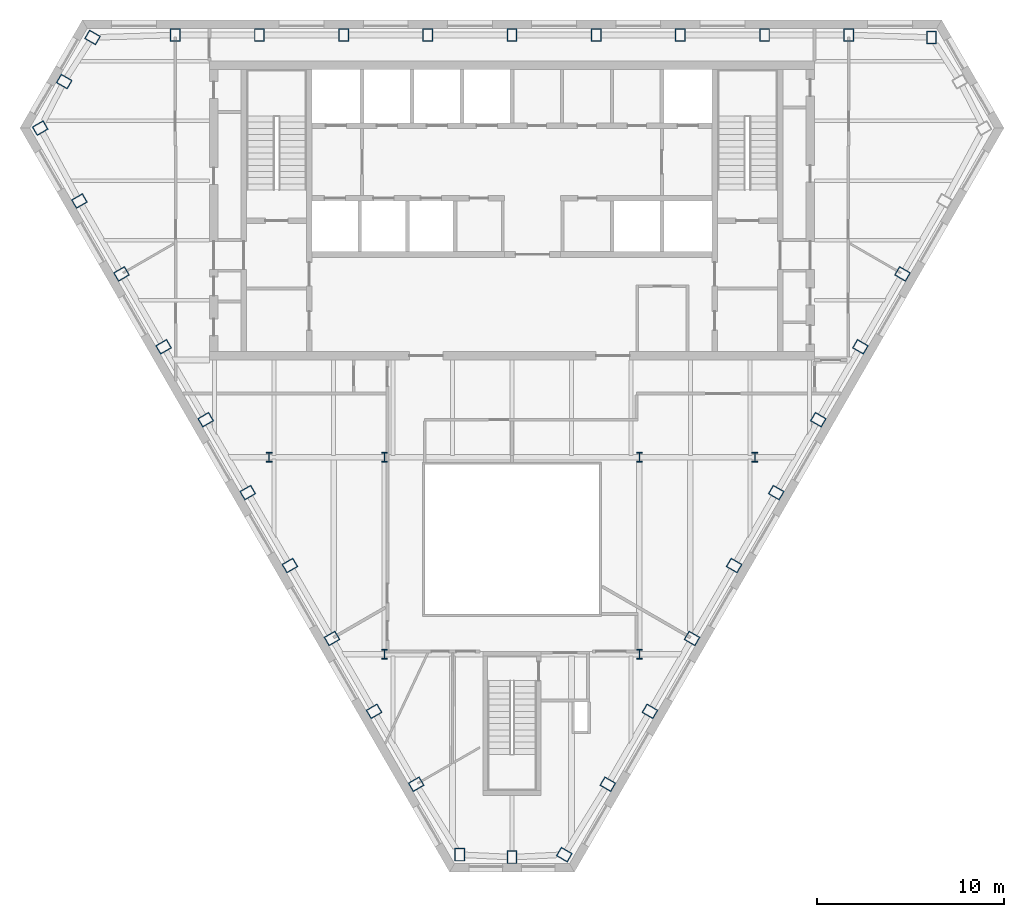
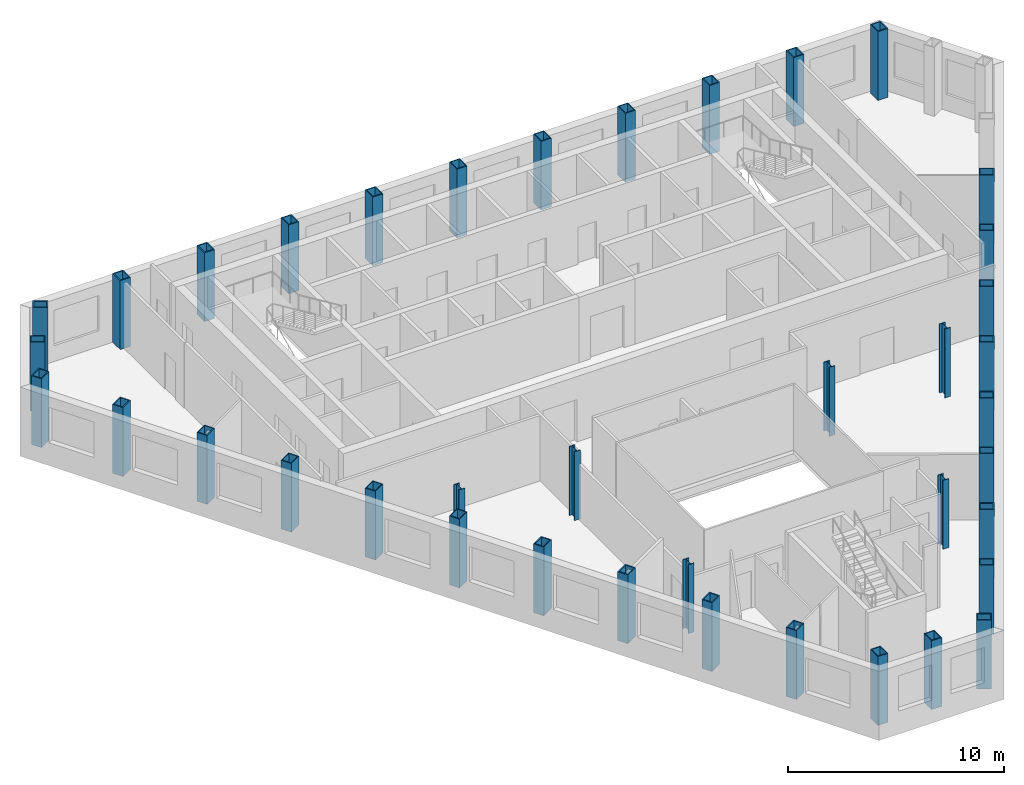
# One storey, part 1 of 10: 39 columns.
"""IFC4 building model written with IfcOpenShell, lengths in metres."""

from ifc_helpers import new_model, si_unit, direction, frame, origin, origin_2d, place, context, subcontext, project, spatial, hollow_rectangle, i_section, extrude, material, material_profile, profile_set, type_object, element, save


model = new_model("IFC4")

# Units and contexts
model_context = context("Model", 3, precision=1e-05, world=origin(), true_north=direction((0.0, 1.0)))
body_context = subcontext(model_context, "Body", "Model", "MODEL_VIEW")
ifc_project = project(units=[si_unit("LENGTHUNIT", "METRE"), si_unit("AREAUNIT", "SQUARE_METRE"), si_unit("VOLUMEUNIT", "CUBIC_METRE"), si_unit("PLANEANGLEUNIT", "RADIAN"), si_unit("MASSUNIT", "GRAM", prefix="KILO")], contexts=[model_context])

# Site, building, storey
site_placement = place(None, origin())
site = spatial("IfcSite", under=ifc_project, at=site_placement, CompositionType="ELEMENT")
building_placement = place(site_placement, origin())
building = spatial("IfcBuilding", under=site, at=building_placement, Name="Njiva Tower", CompositionType="ELEMENT")
storey_placement = place(building_placement, frame((0.0, 0.0, 231.6)))
storey = spatial("IfcBuildingStorey", under=building, at=storey_placement, Name="L52", CompositionType="ELEMENT", Elevation=231.6)

# Columns
ifc_material = material(Name="Steel S355 J2", Category="steel")
ifc_material_profile_1 = material_profile(ifc_material, hollow_rectangle(XDim=0.55, YDim=0.7, WallThickness=0.05, at=origin_2d()), Name="BOX 700x550x50")
ifc_profile_set_1 = profile_set([ifc_material_profile_1], Name="Steel S355 J2")
column_type_1 = type_object("IfcColumnType", Name="C11 Perimeter tube column BOX 700x550x50", PredefinedType="COLUMN", material=ifc_profile_set_1)
for number, where, z_axis, x_axis, name in (
    (1, (22.456, 19.267, 0.0), (0.0, 0.0, 1.0), (-1.0, 0.0, 0.0), "Perimeter tube column S17-C01"),
    (2, (18.026, 19.4, 0.0), (0.0, 0.0, 1.0), (-1.0, 0.0, 0.0), "Perimeter tube column S17-C02"),
    (3, (13.52, 19.4, 0.0), (0.0, 0.0, 1.0), (-1.0, 0.0, 0.0), "Perimeter tube column S17-C03"),
    (4, (9.013, 19.4, 0.0), (0.0, 0.0, 1.0), (-1.0, 0.0, 0.0), "Perimeter tube column S17-C04"),
    (5, (4.507, 19.4, 0.0), (0.0, 0.0, 1.0), (-1.0, 0.0, 0.0), "Perimeter tube column S17-C05"),
    (6, (0.0, 19.4, 0.0), (0.0, 0.0, 1.0), (-1.0, 0.0, 0.0), "Perimeter tube column S17-C06"),
    (7, (-4.507, 19.4, 0.0), (0.0, 0.0, 1.0), (-1.0, 0.0, 0.0), "Perimeter tube column S17-C07"),
    (8, (-9.013, 19.4, 0.0), (0.0, 0.0, 1.0), (-1.0, 0.0, 0.0), "Perimeter tube column S17-C08"),
    (9, (-13.52, 19.4, 0.0), (0.0, 0.0, 1.0), (-1.0, 0.0, 0.0), "Perimeter tube column S17-C09"),
    (10, (-18.026, 19.4, 0.0), (0.0, 0.0, 1.0), (-1.0, 0.0, 0.0), "Perimeter tube column S17-C10"),
    (11, (-22.456, 19.267, 0.0), (0.0, 0.0, 1.0), (-0.5, -0.866025403784, 0.0), "Perimeter tube column S17-C11"),
    (12, (-23.972, 16.907, 0.0), (0.0, 0.0, 1.0), (-0.5, -0.866025403784, 0.0), "Perimeter tube column S17-C12"),
    (13, (-25.258, 14.415, 0.0), (0.0, 0.0, 1.0), (0.5, -0.866025403784, 0.0), "Perimeter tube column S17-C13"),
    (14, (-23.158, 10.512, 0.0), (0.0, 0.0, 1.0), (0.5, -0.866025403784, 0.0), "Perimeter tube column S17-C14"),
    (15, (-20.905, 6.609, 0.0), (0.0, 0.0, 1.0), (0.5, -0.866025403784, 0.0), "Perimeter tube column S17-C15"),
    (16, (-18.651, 2.706, 0.0), (0.0, 0.0, 1.0), (0.5, -0.866025403784, 0.0), "Perimeter tube column S17-C16"),
    (17, (-16.398, -1.196, 0.0), (0.0, 0.0, 1.0), (0.5, -0.866025403784, 0.0), "Perimeter tube column S17-C17"),
    (18, (-14.145, -5.099, 0.0), (0.0, 0.0, 1.0), (0.5, -0.866025403784, 0.0), "Perimeter tube column S17-C18"),
    (19, (-11.891, -9.002, 0.0), (0.0, 0.0, 1.0), (0.5, -0.866025403784, 0.0), "Perimeter tube column S17-C19"),
    (20, (-9.638, -12.905, 0.0), (0.0, 0.0, 1.0), (0.5, -0.866025403784, 0.0), "Perimeter tube column S17-C20"),
    (21, (-7.385, -16.808, 0.0), (0.0, 0.0, 1.0), (0.5, -0.866025403784, 0.0), "Perimeter tube column S17-C21"),
    (22, (-5.131, -20.711, 0.0), (0.0, 0.0, 1.0), (0.5, -0.866025403784, 0.0), "Perimeter tube column S17-C22"),
    (23, (-2.801, -24.48, 0.0), (0.0, 0.0, 1.0), (1.0, 0.0, 0.0), "Perimeter tube column S17-C23"),
    (24, (0.0, -24.614, 0.0), (0.0, 0.0, 1.0), (1.0, 0.0, 0.0), "Perimeter tube column S17-C24"),
    (25, (2.801, -24.48, 0.0), (0.0, 0.0, 1.0), (0.5, 0.866025403784, 0.0), "Perimeter tube column S17-C25"),
    (26, (5.131, -20.711, 0.0), (0.0, 0.0, 1.0), (0.5, 0.866025403784, 0.0), "Perimeter tube column S17-C26"),
    (27, (7.385, -16.808, 0.0), (0.0, 0.0, 1.0), (0.5, 0.866025403784, 0.0), "Perimeter tube column S17-C27"),
    (28, (9.638, -12.905, 0.0), (0.0, 0.0, 1.0), (0.5, 0.866025403784, 0.0), "Perimeter tube column S17-C28"),
    (29, (11.891, -9.002, 0.0), (0.0, 0.0, 1.0), (0.5, 0.866025403784, 0.0), "Perimeter tube column S17-C29"),
    (30, (14.145, -5.099, 0.0), (0.0, 0.0, 1.0), (0.5, 0.866025403784, 0.0), "Perimeter tube column S17-C30"),
    (31, (16.398, -1.196, 0.0), (0.0, 0.0, 1.0), (0.5, 0.866025403784, 0.0), "Perimeter tube column S17-C31"),
    (32, (18.651, 2.706, 0.0), (0.0, 0.0, 1.0), (0.5, 0.866025403784, 0.0), "Perimeter tube column S17-C32"),
    (33, (20.905, 6.609, 0.0), (0.0, 0.0, 1.0), (0.5, 0.866025403784, 0.0), "Perimeter tube column S17-C33"),
):
    element("IfcColumn", number, at=place(storey_placement, frame(where, z_axis=z_axis, x_axis=x_axis)), inside=storey, type_object=column_type_1, Name=name, PredefinedType="COLUMN", context=body_context, shape_type="SweptSolid", body=[
        extrude(hollow_rectangle(XDim=0.55, YDim=0.7, WallThickness=0.05, at=origin_2d()), origin(), (0.0, 0.0, 1.0), 3.9),
    ])
ifc_material_profile_2 = material_profile(ifc_material, i_section(OverallWidth=0.306, OverallDepth=0.524, WebThickness=0.021, FlangeThickness=0.04, at=origin_2d()), Name="HEM 500")
ifc_profile_set_2 = profile_set([ifc_material_profile_2], Name="Steel S355 J2")
column_type_2 = type_object("IfcColumnType", Name="C12 Interior column HEM 500", PredefinedType="COLUMN", material=ifc_profile_set_2)
for number, where, z_axis, x_axis, name in (
    (34, (6.82, -3.2, 0.0), (0.0, 0.0, 1.0), (1.0, 0.0, 0.0), "Interior column S17-C37"),
    (35, (-6.82, -3.2, 0.0), (0.0, 0.0, 1.0), (1.0, 0.0, 0.0), "Interior column S17-C38"),
    (36, (6.82, -13.75, 0.0), (0.0, 0.0, 1.0), (1.0, 0.0, 0.0), "Interior column S17-C39"),
    (37, (-6.82, -13.75, 0.0), (0.0, 0.0, 1.0), (1.0, 0.0, 0.0), "Interior column S17-C40"),
    (38, (13.0, -3.2, 0.0), (0.0, 0.0, 1.0), (1.0, 0.0, 0.0), "Interior column S17-C41"),
    (39, (-13.0, -3.2, 0.0), (0.0, 0.0, 1.0), (1.0, 0.0, 0.0), "Interior column S17-C42"),
):
    element("IfcColumn", number, at=place(storey_placement, frame(where, z_axis=z_axis, x_axis=x_axis)), inside=storey, type_object=column_type_2, Name=name, PredefinedType="COLUMN", context=body_context, shape_type="SweptSolid", body=[
        extrude(i_section(OverallWidth=0.306, OverallDepth=0.524, WebThickness=0.021, FlangeThickness=0.04, at=origin_2d()), origin(), (0.0, 0.0, 1.0), 3.9),
    ])

save(model, "model.ifc")
